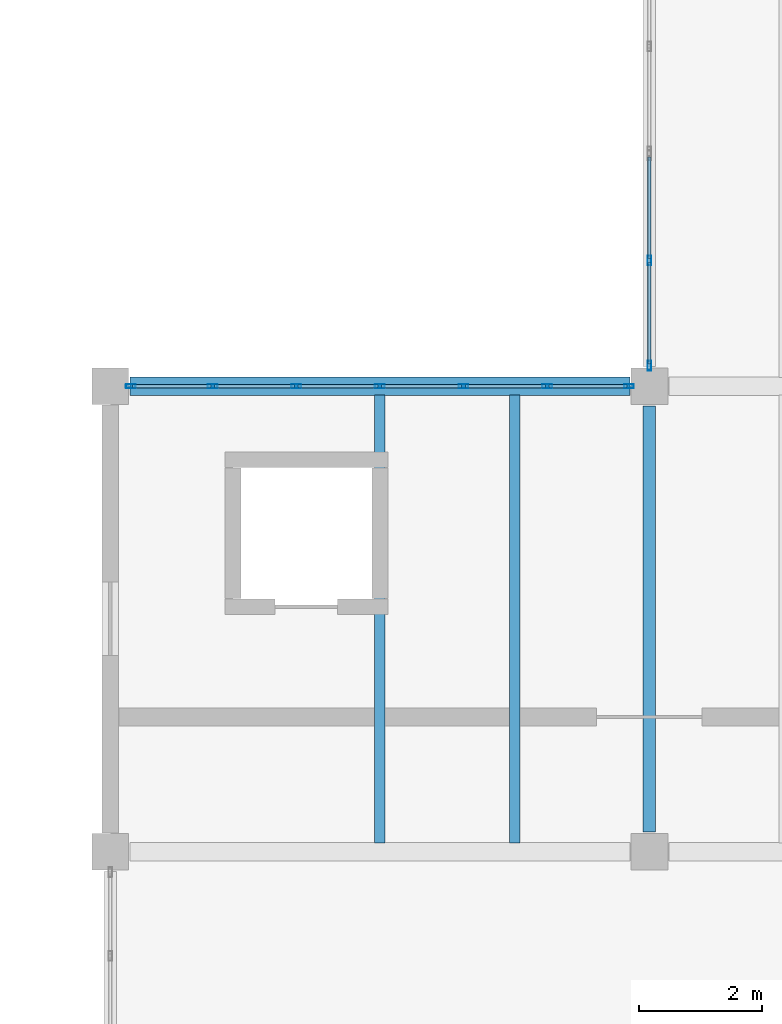
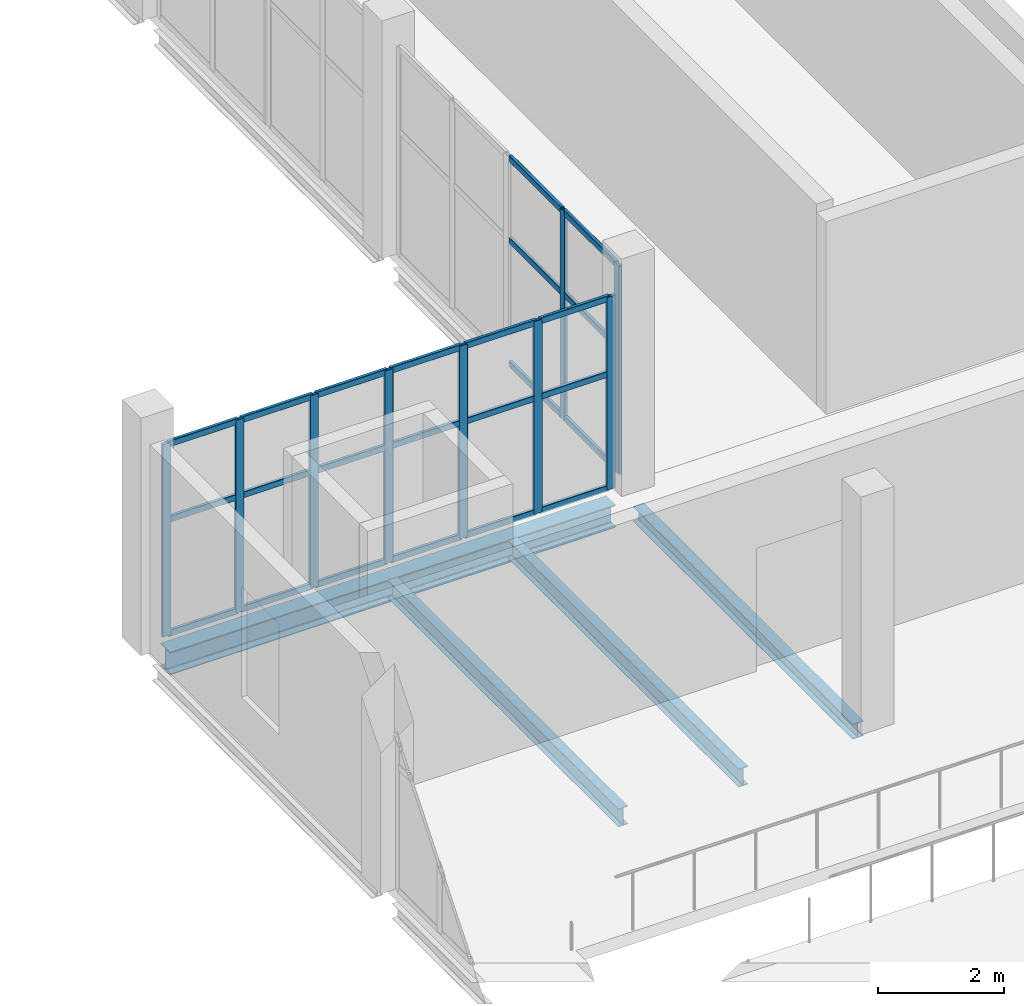
# One storey, part 70 of 136: 33 members, 4 beams, 2 elements without a shape of their own.
"""IFC4 building model written with IfcOpenShell, lengths in metres."""

from ifc_helpers import new_model, si_unit, direction, frame, origin, origin_2d, place, context, subcontext, project, spatial, hollow_rectangle, i_section, extrude, material, material_profile, profile_set, type_object, element, aggregate, save


model = new_model("IFC4")

# Units and contexts
model_context = context("Model", 3, precision=1e-05, world=origin(), true_north=direction((0.0, 1.0)))
body_context = subcontext(model_context, "Body", "Model", "MODEL_VIEW")
ifc_project = project(units=[si_unit("LENGTHUNIT", "METRE"), si_unit("AREAUNIT", "SQUARE_METRE"), si_unit("VOLUMEUNIT", "CUBIC_METRE"), si_unit("PLANEANGLEUNIT", "RADIAN"), si_unit("MASSUNIT", "GRAM", prefix="KILO")], contexts=[model_context])

# Site, building, storey
site_placement = place(None, origin())
site = spatial("IfcSite", under=ifc_project, at=site_placement, CompositionType="ELEMENT")
building_placement = place(site_placement, origin())
building = spatial("IfcBuilding", under=site, at=building_placement, Name="Shengluoqiao Park Theatre", CompositionType="ELEMENT")
storey_placement = place(building_placement, frame((0.0, 0.0, 10.0)))
storey = spatial("IfcBuildingStorey", under=building, at=storey_placement, Name="L02", CompositionType="ELEMENT", Elevation=10.0)

# Curtain wall, members
ifc_material_1 = material(Name="Aluminium 6063-T6", Category="aluminium")
curtain_wall_type = type_object("IfcCurtainWallType", Name="ENV-CW-COURT", PredefinedType="NOTDEFINED", material=ifc_material_1)
curtain_wall_1_placement = place(storey_placement, origin())
curtain_wall_1 = element("IfcCurtainWall", 1, at=curtain_wall_1_placement, inside=storey, type_object=curtain_wall_type, Name="L02 Curtain Wall CWX-L02-0190", PredefinedType="NOTDEFINED")
ifc_material_profile_1 = material_profile(ifc_material_1, hollow_rectangle(XDim=0.06005859375, YDim=0.159912109375, WallThickness=0.00390625, InnerFilletRadius=0.00390625, OuterFilletRadius=0.008056640625, at=origin_2d()), Name="ALU MULLION 160x60x4")
ifc_profile_set_1 = profile_set([ifc_material_profile_1], Name="Aluminium 6063-T6")
member_type_1 = type_object("IfcMemberType", Name="ENV-MUL-160", PredefinedType="MULLION", material=ifc_profile_set_1)
member_1_placement = place(storey_placement, frame((157.199951171875, 23.134033203125, 0.0), z_axis=(0.0, 0.0, 1.0), x_axis=(-1.0, 0.0, 0.0)))
member_1 = element("IfcMember", 2, at=member_1_placement, type_object=member_type_1, Name="CW-05 mullion 1", PredefinedType="MULLION", context=body_context, shape_type="SweptSolid", body=[
    extrude(hollow_rectangle(XDim=0.06005859375, YDim=0.159912109375, WallThickness=0.00390625, InnerFilletRadius=0.00390625, OuterFilletRadius=0.008056640625, at=origin_2d()), origin(), (0.0, 0.0, 1.0), 4.033935546875),
])
member_2_placement = place(storey_placement, frame((157.199951171875, 24.85205078125, 0.0), z_axis=(0.0, 0.0, 1.0), x_axis=(-1.0, 0.0, 0.0)))
member_2 = element("IfcMember", 3, at=member_2_placement, type_object=member_type_1, Name="CW-05 mullion 2", PredefinedType="MULLION", context=body_context, shape_type="SweptSolid", body=[
    extrude(hollow_rectangle(XDim=0.06005859375, YDim=0.159912109375, WallThickness=0.00390625, InnerFilletRadius=0.00390625, OuterFilletRadius=0.008056640625, at=origin_2d()), origin(), (0.0, 0.0, 1.0), 4.033935546875),
])

curtain_wall_2_placement = place(storey_placement, origin())
curtain_wall_2 = element("IfcCurtainWall", 4, at=curtain_wall_2_placement, inside=storey, type_object=curtain_wall_type, Name="L02 Curtain Wall CWX-L02-0208", PredefinedType="NOTDEFINED")
member_3_placement = place(storey_placement, frame((148.73388671875, 22.800048828125, 0.0), z_axis=(0.0, 0.0, 1.0), x_axis=(0.0, 1.0, 0.0)))
member_3 = element("IfcMember", 5, at=member_3_placement, type_object=member_type_1, Name="CW-05 mullion 1", PredefinedType="MULLION", context=body_context, shape_type="SweptSolid", body=[
    extrude(hollow_rectangle(XDim=0.06005859375, YDim=0.159912109375, WallThickness=0.00390625, InnerFilletRadius=0.00390625, OuterFilletRadius=0.008056640625, at=origin_2d()), origin(), (0.0, 0.0, 1.0), 3.72802734375),
])
member_4_placement = place(storey_placement, frame((150.0693359375, 22.800048828125, 0.0), z_axis=(0.0, 0.0, 1.0), x_axis=(0.0, 1.0, 0.0)))
member_4 = element("IfcMember", 6, at=member_4_placement, type_object=member_type_1, Name="CW-05 mullion 2", PredefinedType="MULLION", context=body_context, shape_type="SweptSolid", body=[
    extrude(hollow_rectangle(XDim=0.06005859375, YDim=0.159912109375, WallThickness=0.00390625, InnerFilletRadius=0.00390625, OuterFilletRadius=0.008056640625, at=origin_2d()), origin(), (0.0, 0.0, 1.0), 3.72802734375),
])
member_5_placement = place(storey_placement, frame((151.4345703125, 22.800048828125, 0.0), z_axis=(0.0, 0.0, 1.0), x_axis=(0.0, 1.0, 0.0)))
member_5 = element("IfcMember", 7, at=member_5_placement, type_object=member_type_1, Name="CW-05 mullion 3", PredefinedType="MULLION", context=body_context, shape_type="SweptSolid", body=[
    extrude(hollow_rectangle(XDim=0.06005859375, YDim=0.159912109375, WallThickness=0.00390625, InnerFilletRadius=0.00390625, OuterFilletRadius=0.008056640625, at=origin_2d()), origin(), (0.0, 0.0, 1.0), 3.72802734375),
])
member_6_placement = place(storey_placement, frame((152.800048828125, 22.800048828125, 0.0), z_axis=(0.0, 0.0, 1.0), x_axis=(0.0, 1.0, 0.0)))
member_6 = element("IfcMember", 8, at=member_6_placement, type_object=member_type_1, Name="CW-05 mullion 4", PredefinedType="MULLION", context=body_context, shape_type="SweptSolid", body=[
    extrude(hollow_rectangle(XDim=0.06005859375, YDim=0.159912109375, WallThickness=0.00390625, InnerFilletRadius=0.00390625, OuterFilletRadius=0.008056640625, at=origin_2d()), origin(), (0.0, 0.0, 1.0), 3.72802734375),
])
member_7_placement = place(storey_placement, frame((154.165283203125, 22.800048828125, 0.0), z_axis=(0.0, 0.0, 1.0), x_axis=(0.0, 1.0, 0.0)))
member_7 = element("IfcMember", 9, at=member_7_placement, type_object=member_type_1, Name="CW-05 mullion 5", PredefinedType="MULLION", context=body_context, shape_type="SweptSolid", body=[
    extrude(hollow_rectangle(XDim=0.06005859375, YDim=0.159912109375, WallThickness=0.00390625, InnerFilletRadius=0.00390625, OuterFilletRadius=0.008056640625, at=origin_2d()), origin(), (0.0, 0.0, 1.0), 3.72802734375),
])
member_8_placement = place(storey_placement, frame((155.53076171875, 22.800048828125, 0.0), z_axis=(0.0, 0.0, 1.0), x_axis=(0.0, 1.0, 0.0)))
member_8 = element("IfcMember", 10, at=member_8_placement, type_object=member_type_1, Name="CW-05 mullion 6", PredefinedType="MULLION", context=body_context, shape_type="SweptSolid", body=[
    extrude(hollow_rectangle(XDim=0.06005859375, YDim=0.159912109375, WallThickness=0.00390625, InnerFilletRadius=0.00390625, OuterFilletRadius=0.008056640625, at=origin_2d()), origin(), (0.0, 0.0, 1.0), 3.72802734375),
])
member_9_placement = place(storey_placement, frame((156.865966796875, 22.800048828125, 0.0), z_axis=(0.0, 0.0, 1.0), x_axis=(0.0, 1.0, 0.0)))
member_9 = element("IfcMember", 11, at=member_9_placement, type_object=member_type_1, Name="CW-05 mullion 7", PredefinedType="MULLION", context=body_context, shape_type="SweptSolid", body=[
    extrude(hollow_rectangle(XDim=0.06005859375, YDim=0.159912109375, WallThickness=0.00390625, InnerFilletRadius=0.00390625, OuterFilletRadius=0.008056640625, at=origin_2d()), origin(), (0.0, 0.0, 1.0), 3.72802734375),
])

# Member
ifc_material_profile_2 = material_profile(ifc_material_1, hollow_rectangle(XDim=0.06005859375, YDim=0.1201171875, WallThickness=0.00390625, InnerFilletRadius=0.00390625, OuterFilletRadius=0.008056640625, at=origin_2d()), Name="ALU TRANSOM 120x60x4")
ifc_profile_set_2 = profile_set([ifc_material_profile_2], Name="Aluminium 6063-T6")
member_type_2 = type_object("IfcMemberType", Name="ENV-TRN-120", PredefinedType="USERDEFINED", material=ifc_profile_set_2)
member_10_placement = place(storey_placement, frame((157.199951171875, 23.1640625, 0.030029296875), z_axis=(0.0, 1.0, 0.0), x_axis=(-1.0, 0.0, 0.0)))
member_10 = element("IfcMember", 12, at=member_10_placement, type_object=member_type_2, Name="CW-05 transom 1.1", ObjectType="TRANSOM", PredefinedType="USERDEFINED", context=body_context, shape_type="SweptSolid", body=[
    extrude(hollow_rectangle(XDim=0.06005859375, YDim=0.1201171875, WallThickness=0.00390625, InnerFilletRadius=0.00390625, OuterFilletRadius=0.008056640625, at=origin_2d()), origin(), (0.0, 0.0, 1.0), 1.657958984375),
])

member_11_placement = place(storey_placement, frame((157.199951171875, 23.1640625, 2.419921875), z_axis=(0.0, 1.0, 0.0), x_axis=(-1.0, 0.0, 0.0)))
member_11 = element("IfcMember", 13, at=member_11_placement, type_object=member_type_2, Name="CW-05 transom 1.2", ObjectType="TRANSOM", PredefinedType="USERDEFINED", context=body_context, shape_type="SweptSolid", body=[
    extrude(hollow_rectangle(XDim=0.06005859375, YDim=0.1201171875, WallThickness=0.00390625, InnerFilletRadius=0.00390625, OuterFilletRadius=0.008056640625, at=origin_2d()), origin(), (0.0, 0.0, 1.0), 1.657958984375),
])

member_12_placement = place(storey_placement, frame((157.199951171875, 23.1640625, 4.00390625), z_axis=(0.0, 1.0, 0.0), x_axis=(-1.0, 0.0, 0.0)))
member_12 = element("IfcMember", 14, at=member_12_placement, type_object=member_type_2, Name="CW-05 transom 1.3", ObjectType="TRANSOM", PredefinedType="USERDEFINED", context=body_context, shape_type="SweptSolid", body=[
    extrude(hollow_rectangle(XDim=0.06005859375, YDim=0.1201171875, WallThickness=0.00390625, InnerFilletRadius=0.00390625, OuterFilletRadius=0.008056640625, at=origin_2d()), origin(), (0.0, 0.0, 1.0), 1.657958984375),
])

member_13_placement = place(storey_placement, frame((157.199951171875, 24.882080078125, 0.030029296875), z_axis=(0.0, 1.0, 0.0), x_axis=(-1.0, 0.0, 0.0)))
member_13 = element("IfcMember", 15, at=member_13_placement, type_object=member_type_2, Name="CW-05 transom 2.1", ObjectType="TRANSOM", PredefinedType="USERDEFINED", context=body_context, shape_type="SweptSolid", body=[
    extrude(hollow_rectangle(XDim=0.06005859375, YDim=0.1201171875, WallThickness=0.00390625, InnerFilletRadius=0.00390625, OuterFilletRadius=0.008056640625, at=origin_2d()), origin(), (0.0, 0.0, 1.0), 1.657958984375),
])

member_14_placement = place(storey_placement, frame((157.199951171875, 24.882080078125, 2.419921875), z_axis=(0.0, 1.0, 0.0), x_axis=(-1.0, 0.0, 0.0)))
member_14 = element("IfcMember", 16, at=member_14_placement, type_object=member_type_2, Name="CW-05 transom 2.2", ObjectType="TRANSOM", PredefinedType="USERDEFINED", context=body_context, shape_type="SweptSolid", body=[
    extrude(hollow_rectangle(XDim=0.06005859375, YDim=0.1201171875, WallThickness=0.00390625, InnerFilletRadius=0.00390625, OuterFilletRadius=0.008056640625, at=origin_2d()), origin(), (0.0, 0.0, 1.0), 1.657958984375),
])

member_15_placement = place(storey_placement, frame((157.199951171875, 24.882080078125, 4.00390625), z_axis=(0.0, 1.0, 0.0), x_axis=(-1.0, 0.0, 0.0)))
member_15 = element("IfcMember", 17, at=member_15_placement, type_object=member_type_2, Name="CW-05 transom 2.3", ObjectType="TRANSOM", PredefinedType="USERDEFINED", context=body_context, shape_type="SweptSolid", body=[
    extrude(hollow_rectangle(XDim=0.06005859375, YDim=0.1201171875, WallThickness=0.00390625, InnerFilletRadius=0.00390625, OuterFilletRadius=0.008056640625, at=origin_2d()), origin(), (0.0, 0.0, 1.0), 1.657958984375),
])

aggregate(curtain_wall_1, [member_1, member_2, member_10, member_11, member_12, member_13, member_14, member_15])

member_16_placement = place(storey_placement, frame((148.763916015625, 22.800048828125, 0.030029296875), z_axis=(1.0, 0.0, 0.0), x_axis=(0.0, 1.0, 0.0)))
member_16 = element("IfcMember", 18, at=member_16_placement, type_object=member_type_2, Name="CW-05 transom 1.1", ObjectType="TRANSOM", PredefinedType="USERDEFINED", context=body_context, shape_type="SweptSolid", body=[
    extrude(hollow_rectangle(XDim=0.06005859375, YDim=0.1201171875, WallThickness=0.00390625, InnerFilletRadius=0.00390625, OuterFilletRadius=0.008056640625, at=origin_2d()), origin(), (0.0, 0.0, 1.0), 1.275390625),
])

member_17_placement = place(storey_placement, frame((148.763916015625, 22.800048828125, 2.237060546875), z_axis=(1.0, 0.0, 0.0), x_axis=(0.0, 1.0, 0.0)))
member_17 = element("IfcMember", 19, at=member_17_placement, type_object=member_type_2, Name="CW-05 transom 1.2", ObjectType="TRANSOM", PredefinedType="USERDEFINED", context=body_context, shape_type="SweptSolid", body=[
    extrude(hollow_rectangle(XDim=0.06005859375, YDim=0.1201171875, WallThickness=0.00390625, InnerFilletRadius=0.00390625, OuterFilletRadius=0.008056640625, at=origin_2d()), origin(), (0.0, 0.0, 1.0), 1.275390625),
])

member_18_placement = place(storey_placement, frame((148.763916015625, 22.800048828125, 3.697998046875), z_axis=(1.0, 0.0, 0.0), x_axis=(0.0, 1.0, 0.0)))
member_18 = element("IfcMember", 20, at=member_18_placement, type_object=member_type_2, Name="CW-05 transom 1.3", ObjectType="TRANSOM", PredefinedType="USERDEFINED", context=body_context, shape_type="SweptSolid", body=[
    extrude(hollow_rectangle(XDim=0.06005859375, YDim=0.1201171875, WallThickness=0.00390625, InnerFilletRadius=0.00390625, OuterFilletRadius=0.008056640625, at=origin_2d()), origin(), (0.0, 0.0, 1.0), 1.275390625),
])

member_19_placement = place(storey_placement, frame((150.099365234375, 22.800048828125, 0.030029296875), z_axis=(1.0, 0.0, 0.0), x_axis=(0.0, 1.0, 0.0)))
member_19 = element("IfcMember", 21, at=member_19_placement, type_object=member_type_2, Name="CW-05 transom 2.1", ObjectType="TRANSOM", PredefinedType="USERDEFINED", context=body_context, shape_type="SweptSolid", body=[
    extrude(hollow_rectangle(XDim=0.06005859375, YDim=0.1201171875, WallThickness=0.00390625, InnerFilletRadius=0.00390625, OuterFilletRadius=0.008056640625, at=origin_2d()), origin(), (0.0, 0.0, 1.0), 1.305419921875),
])

member_20_placement = place(storey_placement, frame((150.099365234375, 22.800048828125, 2.237060546875), z_axis=(1.0, 0.0, 0.0), x_axis=(0.0, 1.0, 0.0)))
member_20 = element("IfcMember", 22, at=member_20_placement, type_object=member_type_2, Name="CW-05 transom 2.2", ObjectType="TRANSOM", PredefinedType="USERDEFINED", context=body_context, shape_type="SweptSolid", body=[
    extrude(hollow_rectangle(XDim=0.06005859375, YDim=0.1201171875, WallThickness=0.00390625, InnerFilletRadius=0.00390625, OuterFilletRadius=0.008056640625, at=origin_2d()), origin(), (0.0, 0.0, 1.0), 1.305419921875),
])

member_21_placement = place(storey_placement, frame((150.099365234375, 22.800048828125, 3.697998046875), z_axis=(1.0, 0.0, 0.0), x_axis=(0.0, 1.0, 0.0)))
member_21 = element("IfcMember", 23, at=member_21_placement, type_object=member_type_2, Name="CW-05 transom 2.3", ObjectType="TRANSOM", PredefinedType="USERDEFINED", context=body_context, shape_type="SweptSolid", body=[
    extrude(hollow_rectangle(XDim=0.06005859375, YDim=0.1201171875, WallThickness=0.00390625, InnerFilletRadius=0.00390625, OuterFilletRadius=0.008056640625, at=origin_2d()), origin(), (0.0, 0.0, 1.0), 1.305419921875),
])

member_22_placement = place(storey_placement, frame((151.464599609375, 22.800048828125, 0.030029296875), z_axis=(1.0, 0.0, 0.0), x_axis=(0.0, 1.0, 0.0)))
member_22 = element("IfcMember", 24, at=member_22_placement, type_object=member_type_2, Name="CW-05 transom 3.1", ObjectType="TRANSOM", PredefinedType="USERDEFINED", context=body_context, shape_type="SweptSolid", body=[
    extrude(hollow_rectangle(XDim=0.06005859375, YDim=0.1201171875, WallThickness=0.00390625, InnerFilletRadius=0.00390625, OuterFilletRadius=0.008056640625, at=origin_2d()), origin(), (0.0, 0.0, 1.0), 1.305419921875),
])

member_23_placement = place(storey_placement, frame((151.464599609375, 22.800048828125, 2.237060546875), z_axis=(1.0, 0.0, 0.0), x_axis=(0.0, 1.0, 0.0)))
member_23 = element("IfcMember", 25, at=member_23_placement, type_object=member_type_2, Name="CW-05 transom 3.2", ObjectType="TRANSOM", PredefinedType="USERDEFINED", context=body_context, shape_type="SweptSolid", body=[
    extrude(hollow_rectangle(XDim=0.06005859375, YDim=0.1201171875, WallThickness=0.00390625, InnerFilletRadius=0.00390625, OuterFilletRadius=0.008056640625, at=origin_2d()), origin(), (0.0, 0.0, 1.0), 1.305419921875),
])

member_24_placement = place(storey_placement, frame((151.464599609375, 22.800048828125, 3.697998046875), z_axis=(1.0, 0.0, 0.0), x_axis=(0.0, 1.0, 0.0)))
member_24 = element("IfcMember", 26, at=member_24_placement, type_object=member_type_2, Name="CW-05 transom 3.3", ObjectType="TRANSOM", PredefinedType="USERDEFINED", context=body_context, shape_type="SweptSolid", body=[
    extrude(hollow_rectangle(XDim=0.06005859375, YDim=0.1201171875, WallThickness=0.00390625, InnerFilletRadius=0.00390625, OuterFilletRadius=0.008056640625, at=origin_2d()), origin(), (0.0, 0.0, 1.0), 1.305419921875),
])

member_25_placement = place(storey_placement, frame((152.830078125, 22.800048828125, 0.030029296875), z_axis=(1.0, 0.0, 0.0), x_axis=(0.0, 1.0, 0.0)))
member_25 = element("IfcMember", 27, at=member_25_placement, type_object=member_type_2, Name="CW-05 transom 4.1", ObjectType="TRANSOM", PredefinedType="USERDEFINED", context=body_context, shape_type="SweptSolid", body=[
    extrude(hollow_rectangle(XDim=0.06005859375, YDim=0.1201171875, WallThickness=0.00390625, InnerFilletRadius=0.00390625, OuterFilletRadius=0.008056640625, at=origin_2d()), origin(), (0.0, 0.0, 1.0), 1.30517578125),
])

member_26_placement = place(storey_placement, frame((152.830078125, 22.800048828125, 2.237060546875), z_axis=(1.0, 0.0, 0.0), x_axis=(0.0, 1.0, 0.0)))
member_26 = element("IfcMember", 28, at=member_26_placement, type_object=member_type_2, Name="CW-05 transom 4.2", ObjectType="TRANSOM", PredefinedType="USERDEFINED", context=body_context, shape_type="SweptSolid", body=[
    extrude(hollow_rectangle(XDim=0.06005859375, YDim=0.1201171875, WallThickness=0.00390625, InnerFilletRadius=0.00390625, OuterFilletRadius=0.008056640625, at=origin_2d()), origin(), (0.0, 0.0, 1.0), 1.30517578125),
])

member_27_placement = place(storey_placement, frame((152.830078125, 22.800048828125, 3.697998046875), z_axis=(1.0, 0.0, 0.0), x_axis=(0.0, 1.0, 0.0)))
member_27 = element("IfcMember", 29, at=member_27_placement, type_object=member_type_2, Name="CW-05 transom 4.3", ObjectType="TRANSOM", PredefinedType="USERDEFINED", context=body_context, shape_type="SweptSolid", body=[
    extrude(hollow_rectangle(XDim=0.06005859375, YDim=0.1201171875, WallThickness=0.00390625, InnerFilletRadius=0.00390625, OuterFilletRadius=0.008056640625, at=origin_2d()), origin(), (0.0, 0.0, 1.0), 1.30517578125),
])

member_28_placement = place(storey_placement, frame((154.1953125, 22.800048828125, 0.030029296875), z_axis=(1.0, 0.0, 0.0), x_axis=(0.0, 1.0, 0.0)))
member_28 = element("IfcMember", 30, at=member_28_placement, type_object=member_type_2, Name="CW-05 transom 5.1", ObjectType="TRANSOM", PredefinedType="USERDEFINED", context=body_context, shape_type="SweptSolid", body=[
    extrude(hollow_rectangle(XDim=0.06005859375, YDim=0.1201171875, WallThickness=0.00390625, InnerFilletRadius=0.00390625, OuterFilletRadius=0.008056640625, at=origin_2d()), origin(), (0.0, 0.0, 1.0), 1.305419921875),
])

member_29_placement = place(storey_placement, frame((154.1953125, 22.800048828125, 2.237060546875), z_axis=(1.0, 0.0, 0.0), x_axis=(0.0, 1.0, 0.0)))
member_29 = element("IfcMember", 31, at=member_29_placement, type_object=member_type_2, Name="CW-05 transom 5.2", ObjectType="TRANSOM", PredefinedType="USERDEFINED", context=body_context, shape_type="SweptSolid", body=[
    extrude(hollow_rectangle(XDim=0.06005859375, YDim=0.1201171875, WallThickness=0.00390625, InnerFilletRadius=0.00390625, OuterFilletRadius=0.008056640625, at=origin_2d()), origin(), (0.0, 0.0, 1.0), 1.305419921875),
])

member_30_placement = place(storey_placement, frame((154.1953125, 22.800048828125, 3.697998046875), z_axis=(1.0, 0.0, 0.0), x_axis=(0.0, 1.0, 0.0)))
member_30 = element("IfcMember", 32, at=member_30_placement, type_object=member_type_2, Name="CW-05 transom 5.3", ObjectType="TRANSOM", PredefinedType="USERDEFINED", context=body_context, shape_type="SweptSolid", body=[
    extrude(hollow_rectangle(XDim=0.06005859375, YDim=0.1201171875, WallThickness=0.00390625, InnerFilletRadius=0.00390625, OuterFilletRadius=0.008056640625, at=origin_2d()), origin(), (0.0, 0.0, 1.0), 1.305419921875),
])

member_31_placement = place(storey_placement, frame((155.560546875, 22.800048828125, 0.030029296875), z_axis=(1.0, 0.0, 0.0), x_axis=(0.0, 1.0, 0.0)))
member_31 = element("IfcMember", 33, at=member_31_placement, type_object=member_type_2, Name="CW-05 transom 6.1", ObjectType="TRANSOM", PredefinedType="USERDEFINED", context=body_context, shape_type="SweptSolid", body=[
    extrude(hollow_rectangle(XDim=0.06005859375, YDim=0.1201171875, WallThickness=0.00390625, InnerFilletRadius=0.00390625, OuterFilletRadius=0.008056640625, at=origin_2d()), origin(), (0.0, 0.0, 1.0), 1.275390625),
])

member_32_placement = place(storey_placement, frame((155.560546875, 22.800048828125, 2.237060546875), z_axis=(1.0, 0.0, 0.0), x_axis=(0.0, 1.0, 0.0)))
member_32 = element("IfcMember", 34, at=member_32_placement, type_object=member_type_2, Name="CW-05 transom 6.2", ObjectType="TRANSOM", PredefinedType="USERDEFINED", context=body_context, shape_type="SweptSolid", body=[
    extrude(hollow_rectangle(XDim=0.06005859375, YDim=0.1201171875, WallThickness=0.00390625, InnerFilletRadius=0.00390625, OuterFilletRadius=0.008056640625, at=origin_2d()), origin(), (0.0, 0.0, 1.0), 1.275390625),
])

member_33_placement = place(storey_placement, frame((155.560546875, 22.800048828125, 3.697998046875), z_axis=(1.0, 0.0, 0.0), x_axis=(0.0, 1.0, 0.0)))
member_33 = element("IfcMember", 35, at=member_33_placement, type_object=member_type_2, Name="CW-05 transom 6.3", ObjectType="TRANSOM", PredefinedType="USERDEFINED", context=body_context, shape_type="SweptSolid", body=[
    extrude(hollow_rectangle(XDim=0.06005859375, YDim=0.1201171875, WallThickness=0.00390625, InnerFilletRadius=0.00390625, OuterFilletRadius=0.008056640625, at=origin_2d()), origin(), (0.0, 0.0, 1.0), 1.275390625),
])

aggregate(curtain_wall_2, [member_3, member_4, member_5, member_6, member_7, member_8, member_9, member_16, member_17, member_18, member_19, member_20, member_21, member_22, member_23, member_24, member_25, member_26, member_27, member_28, member_29, member_30, member_31, member_32, member_33])

# Beams
ifc_material_2 = material(Name="Steel Q355", Category="steel")
ifc_material_profile_3 = material_profile(ifc_material_2, i_section(OverallWidth=0.199951171875, OverallDepth=0.2939453125, WebThickness=0.008056640625, FlangeThickness=0.011962890625, FilletRadius=0.01611328125, at=origin_2d()), Name="HM 294x200x8x12")
ifc_profile_set_3 = profile_set([ifc_material_profile_3], Name="Steel Q355")
beam_type_1 = type_object("IfcBeamType", Name="STR-BM-G-HM294", PredefinedType="BEAM", material=ifc_profile_set_3)
beam_1_placement = place(storey_placement, frame((157.199951171875, 15.51904296875, -0.386962890625), z_axis=(0.0, 1.0, 0.0), x_axis=(-1.0, 0.0, 0.0)))
element("IfcBeam", 36, at=beam_1_placement, inside=storey, type_object=beam_type_1, Name="L02 Transverse Girder 01194", PredefinedType="BEAM", context=body_context, shape_type="SweptSolid", body=[
    extrude(i_section(OverallWidth=0.199951171875, OverallDepth=0.2939453125, WebThickness=0.008056640625, FlangeThickness=0.011962890625, FilletRadius=0.01611328125, at=origin_2d()), origin(), (0.0, 0.0, 1.0), 6.9619140625),
])
ifc_material_profile_4 = material_profile(ifc_material_2, i_section(OverallWidth=0.300048828125, OverallDepth=0.43994140625, WebThickness=0.010986328125, FlangeThickness=0.01806640625, FilletRadius=0.02001953125, at=origin_2d()), Name="HM 440x300x11x18")
ifc_profile_set_4 = profile_set([ifc_material_profile_4], Name="Steel Q355")
beam_type_2 = type_object("IfcBeamType", Name="STR-BM-G-HM440", PredefinedType="BEAM", material=ifc_profile_set_4)
beam_2_placement = place(storey_placement, frame((148.718994140625, 22.800048828125, -0.4599609375), z_axis=(1.0, 0.0, 0.0), x_axis=(0.0, 1.0, 0.0)))
element("IfcBeam", 37, at=beam_2_placement, inside=storey, type_object=beam_type_2, Name="L02 Primary Girder 01190", PredefinedType="BEAM", context=body_context, shape_type="SweptSolid", body=[
    extrude(i_section(OverallWidth=0.300048828125, OverallDepth=0.43994140625, WebThickness=0.010986328125, FlangeThickness=0.01806640625, FilletRadius=0.02001953125, at=origin_2d()), origin(), (0.0, 0.0, 1.0), 8.162109375),
])
ifc_material_profile_5 = material_profile(ifc_material_2, i_section(OverallWidth=0.175048828125, OverallDepth=0.35009765625, WebThickness=0.007080078125, FlangeThickness=0.010986328125, FilletRadius=0.013916015625, at=origin_2d()), Name="HN 350x175x7x11")
ifc_profile_set_5 = profile_set([ifc_material_profile_5], Name="Steel Q355")
beam_type_3 = type_object("IfcBeamType", Name="STR-BM-J-HN350", PredefinedType="JOIST", material=ifc_profile_set_5)
for number, where, z_axis, x_axis, name in (
    (38, (152.800048828125, 15.344970703125, -0.4150390625), (0.0, 1.0, 0.0), (-1.0, 0.0, 0.0), "L02 Composite Joist 01198"),
    (39, (155.0, 15.344970703125, -0.4150390625), (0.0, 1.0, 0.0), (-1.0, 0.0, 0.0), "L02 Composite Joist 01199"),
):
    element("IfcBeam", number, at=place(storey_placement, frame(where, z_axis=z_axis, x_axis=x_axis)), inside=storey, type_object=beam_type_3, Name=name, PredefinedType="JOIST", context=body_context, shape_type="SweptSolid", body=[
        extrude(i_section(OverallWidth=0.175048828125, OverallDepth=0.35009765625, WebThickness=0.007080078125, FlangeThickness=0.010986328125, FilletRadius=0.013916015625, at=origin_2d()), origin(), (0.0, 0.0, 1.0), 7.31005859375),
    ])

save(model, "model.ifc")
